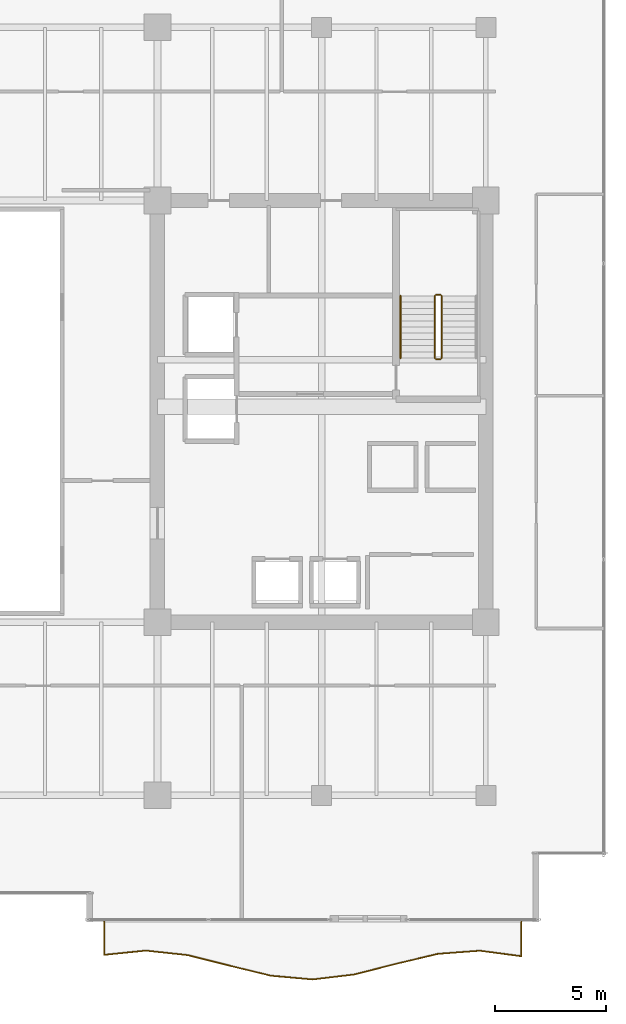
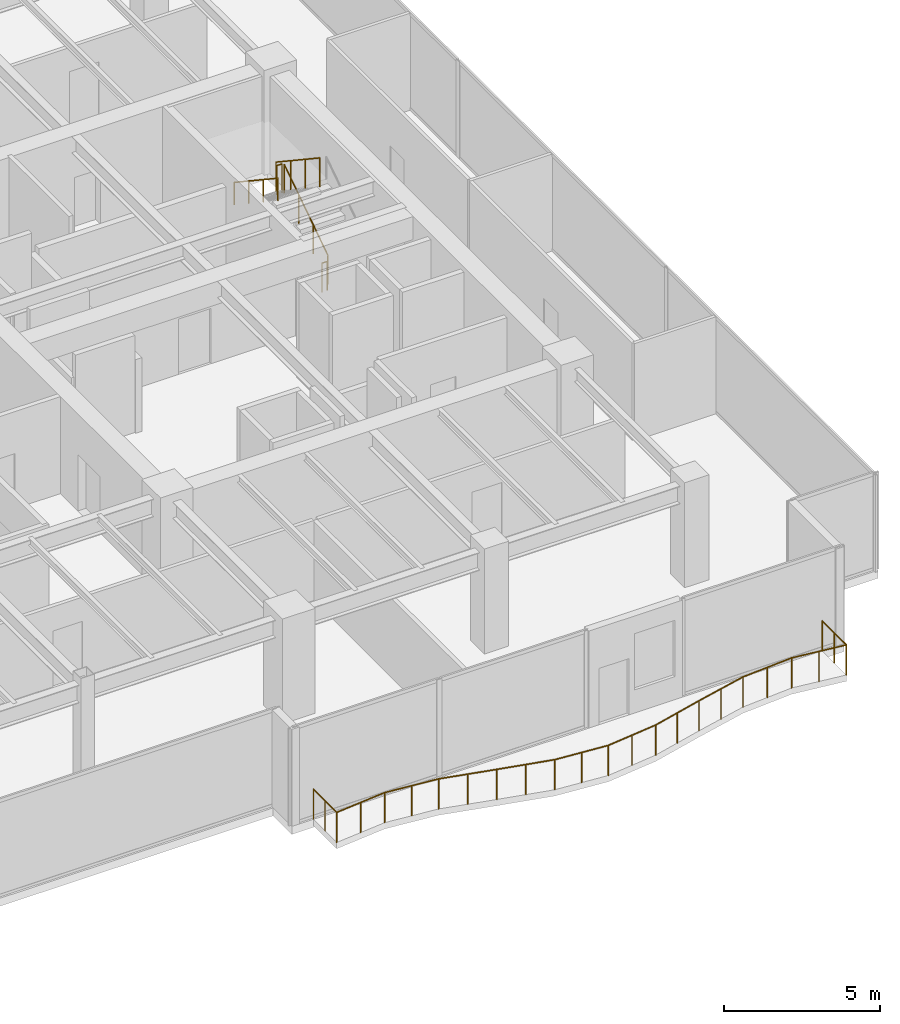
# One storey, part 29 of 30: 6 railings.
"""IFC4 building model written with IfcOpenShell, lengths in metres."""

from ifc_helpers import new_model, si_unit, direction, frame, origin, origin_2d, place, context, subcontext, project, spatial, circle, extrude, source, transform, mapped, material, type_object, type_shapes, element, save


model = new_model("IFC4")

# Units and contexts
model_context = context("Model", 3, precision=1e-05, world=origin(), true_north=direction((0.0, 1.0)))
body_context = subcontext(model_context, "Body", "Model", "MODEL_VIEW")
ifc_project = project(units=[si_unit("LENGTHUNIT", "METRE"), si_unit("AREAUNIT", "SQUARE_METRE"), si_unit("VOLUMEUNIT", "CUBIC_METRE"), si_unit("PLANEANGLEUNIT", "RADIAN"), si_unit("MASSUNIT", "GRAM", prefix="KILO")], contexts=[model_context])

# Site, building, storey
site_placement = place(None, origin())
site = spatial("IfcSite", under=ifc_project, at=site_placement, CompositionType="ELEMENT")
building_placement = place(site_placement, origin())
building = spatial("IfcBuilding", under=site, at=building_placement, Name="Haelvirn Gate Laboratories", CompositionType="ELEMENT")
storey_placement = place(building_placement, frame((0.0, 0.0, 113.300048828125)))
storey = spatial("IfcBuildingStorey", under=building, at=storey_placement, Name="L27", CompositionType="ELEMENT", Elevation=113.300048828125)

# Railings
ifc_material_1 = material(Name="Laminated safety glass & bronze stainless steel 316L", Category="steel")
railing_type_1 = type_object("IfcRailingType", Name="RLG-BAL-1200", PredefinedType="BALUSTRADE", material=ifc_material_1)
shared_shape_1 = source(origin(), body_context, "Body", "SweptSolid", [
    extrude(circle(Radius=0.02392578125, at=origin_2d()), frame((0.0, 0.0, 1.17578125), z_axis=(0.0, -1.0, 0.0), x_axis=(1.0, 0.0, 0.0)), (0.0, 0.0, 1.0), 1.490478515625),
    extrude(circle(Radius=0.02392578125, at=origin_2d()), frame((0.0, -1.490478515625, 1.17578125), z_axis=(0.994909750385, 0.100769978613, 0.0), x_axis=(-0.100769978613, 0.994909750385, 0.0)), (0.0, 0.0, 1.0), 1.8896484375),
    extrude(circle(Radius=0.02392578125, at=origin_2d()), frame((1.880126953125, -1.300048828125, 1.17578125), z_axis=(0.994268046517, -0.106916096431, 0.0), x_axis=(0.106916096431, 0.994268046517, 0.0)), (0.0, 0.0, 1.0), 1.890625),
    extrude(circle(Radius=0.02392578125, at=origin_2d()), frame((3.760009765625, -1.502197265625, 1.17578125), z_axis=(0.969823122706, -0.243809578699, 0.0), x_axis=(0.243809578699, 0.969823122706, 0.0)), (0.0, 0.0, 1.0), 1.938720703125),
    extrude(circle(Radius=0.02392578125, at=origin_2d()), frame((5.64013671875, -1.974853515625, 1.17578125), z_axis=(0.971637832794, -0.23647393489, 0.0), x_axis=(0.23647393489, 0.971637832794, 0.0)), (0.0, 0.0, 1.0), 1.934814453125),
    extrude(circle(Radius=0.02392578125, at=origin_2d()), frame((7.52001953125, -2.432373046875, 1.17578125), z_axis=(0.99611284402, -0.088086332525, 0.0), x_axis=(0.088086332525, 0.99611284402, 0.0)), (0.0, 0.0, 1.0), 1.887451171875),
    extrude(circle(Radius=0.02392578125, at=origin_2d()), frame((9.400146484375, -2.5986328125, 1.17578125), z_axis=(0.992892084335, 0.119018103096, 0.0), x_axis=(-0.119018103096, 0.992892084335, 0.0)), (0.0, 0.0, 1.0), 1.893310546875),
    extrude(circle(Radius=0.02392578125, at=origin_2d()), frame((11.280029296875, -2.373291015625, 1.17578125), z_axis=(0.968773195662, 0.247948574036, 0.0), x_axis=(-0.247948574036, 0.968773195662, 0.0)), (0.0, 0.0, 1.0), 1.940673828125),
    extrude(circle(Radius=0.02392578125, at=origin_2d()), frame((13.16015625, -1.89208984375, 1.17578125), z_axis=(0.972986243114, 0.230863099502, 0.0), x_axis=(-0.230863099502, 0.972986243114, 0.0)), (0.0, 0.0, 1.0), 1.93212890625),
    extrude(circle(Radius=0.02392578125, at=origin_2d()), frame((15.0400390625, -1.446044921875, 1.17578125), z_axis=(0.997175842367, 0.075102193036, 0.0), x_axis=(-0.075102193036, 0.997175842367, 0.0)), (0.0, 0.0, 1.0), 1.885498046875),
    extrude(circle(Radius=0.02392578125, at=origin_2d()), frame((16.920166015625, -1.304443359375, 1.17578125), z_axis=(0.991406900654, -0.130814209229, 0.0), x_axis=(0.130814209229, 0.991406900654, 0.0)), (0.0, 0.0, 1.0), 1.896240234375),
    extrude(circle(Radius=0.02392578125, at=origin_2d()), frame((18.800048828125, -1.552490234375, 1.17578125), z_axis=(0.0, 1.0, 0.0), x_axis=(-1.0, 0.0, 0.0)), (0.0, 0.0, 1.0), 1.552490234375),
    extrude(circle(Radius=0.02099609375, at=origin_2d()), origin(), (0.0, 0.0, 1.0), 1.15185546875),
    extrude(circle(Radius=0.02099609375, at=origin_2d()), frame((0.0, -0.7451171875, 0.0)), (0.0, 0.0, 1.0), 1.15185546875),
    extrude(circle(Radius=0.02099609375, at=origin_2d()), frame((0.0, -1.490478515625, 0.0)), (0.0, 0.0, 1.0), 1.15185546875),
    extrude(circle(Radius=0.02099609375, at=origin_2d()), frame((0.93994140625, -1.395263671875, 0.0)), (0.0, 0.0, 1.0), 1.15185546875),
    extrude(circle(Radius=0.02099609375, at=origin_2d()), frame((1.880126953125, -1.300048828125, 0.0)), (0.0, 0.0, 1.0), 1.15185546875),
    extrude(circle(Radius=0.02099609375, at=origin_2d()), frame((2.820068359375, -1.401123046875, 0.0)), (0.0, 0.0, 1.0), 1.15185546875),
    extrude(circle(Radius=0.02099609375, at=origin_2d()), frame((3.760009765625, -1.502197265625, 0.0)), (0.0, 0.0, 1.0), 1.15185546875),
    extrude(circle(Radius=0.02099609375, at=origin_2d()), frame((4.7001953125, -1.738525390625, 0.0)), (0.0, 0.0, 1.0), 1.15185546875),
    extrude(circle(Radius=0.02099609375, at=origin_2d()), frame((5.64013671875, -1.974853515625, 0.0)), (0.0, 0.0, 1.0), 1.15185546875),
    extrude(circle(Radius=0.02099609375, at=origin_2d()), frame((6.580078125, -2.20361328125, 0.0)), (0.0, 0.0, 1.0), 1.15185546875),
    extrude(circle(Radius=0.02099609375, at=origin_2d()), frame((7.52001953125, -2.432373046875, 0.0)), (0.0, 0.0, 1.0), 1.15185546875),
    extrude(circle(Radius=0.02099609375, at=origin_2d()), frame((8.4599609375, -2.515625, 0.0)), (0.0, 0.0, 1.0), 1.15185546875),
    extrude(circle(Radius=0.02099609375, at=origin_2d()), frame((9.400146484375, -2.5986328125, 0.0)), (0.0, 0.0, 1.0), 1.15185546875),
    extrude(circle(Radius=0.02099609375, at=origin_2d()), frame((10.340087890625, -2.48583984375, 0.0)), (0.0, 0.0, 1.0), 1.15185546875),
    extrude(circle(Radius=0.02099609375, at=origin_2d()), frame((11.280029296875, -2.373291015625, 0.0)), (0.0, 0.0, 1.0), 1.15185546875),
    extrude(circle(Radius=0.02099609375, at=origin_2d()), frame((12.22021484375, -2.1328125, 0.0)), (0.0, 0.0, 1.0), 1.15185546875),
    extrude(circle(Radius=0.02099609375, at=origin_2d()), frame((13.16015625, -1.89208984375, 0.0)), (0.0, 0.0, 1.0), 1.15185546875),
    extrude(circle(Radius=0.02099609375, at=origin_2d()), frame((14.10009765625, -1.6689453125, 0.0)), (0.0, 0.0, 1.0), 1.15185546875),
    extrude(circle(Radius=0.02099609375, at=origin_2d()), frame((15.0400390625, -1.446044921875, 0.0)), (0.0, 0.0, 1.0), 1.15185546875),
    extrude(circle(Radius=0.02099609375, at=origin_2d()), frame((15.97998046875, -1.375244140625, 0.0)), (0.0, 0.0, 1.0), 1.15185546875),
    extrude(circle(Radius=0.02099609375, at=origin_2d()), frame((16.920166015625, -1.304443359375, 0.0)), (0.0, 0.0, 1.0), 1.15185546875),
    extrude(circle(Radius=0.02099609375, at=origin_2d()), frame((17.860107421875, -1.428466796875, 0.0)), (0.0, 0.0, 1.0), 1.15185546875),
    extrude(circle(Radius=0.02099609375, at=origin_2d()), frame((18.800048828125, -1.552490234375, 0.0)), (0.0, 0.0, 1.0), 1.15185546875),
    extrude(circle(Radius=0.02099609375, at=origin_2d()), frame((18.800048828125, -0.7763671875, 0.0)), (0.0, 0.0, 1.0), 1.15185546875),
    extrude(circle(Radius=0.02099609375, at=origin_2d()), frame((18.800048828125, 0.0, 0.0)), (0.0, 0.0, 1.0), 1.15185546875),
])
type_shapes(railing_type_1, [shared_shape_1])
railing_1_placement = place(storey_placement, frame((50.199951171875, 1.300048828125, 0.0)))
element("IfcRailing", 1, at=railing_1_placement, inside=storey, type_object=railing_type_1, Name="L27 Wave Balcony Balustrade EL-S", PredefinedType="BALUSTRADE", context=body_context, shape_type="MappedRepresentation", body=[
    mapped(shared_shape_1, transform((0.0, 0.0, 0.0), scale=1.0)),
])
ifc_material_2 = material(Name="Galvanised steel SM355 & stainless top rail", Category="steel")
railing_type_2 = type_object("IfcRailingType", Name="RL-GUARD-1150", PredefinedType="GUARDRAIL", material=ifc_material_2)
shared_shape_2 = source(origin(), body_context, "Body", "SweptSolid", [
    extrude(circle(Radius=0.02392578125, at=origin_2d()), frame((0.0, 0.0, 1.1259765625), z_axis=(0.0, 0.832452072856, 0.554097055034), x_axis=(-1.0, 0.0, 0.0)), (0.0, 0.0, 1.0), 3.363525390625),
    extrude(circle(Radius=0.02099609375, at=origin_2d()), origin(), (0.0, 0.0, 1.0), 1.101806640625),
    extrude(circle(Radius=0.02099609375, at=origin_2d()), frame((0.0, 0.933349609375, 0.621337890625)), (0.0, 0.0, 1.0), 1.101806640625),
    extrude(circle(Radius=0.02099609375, at=origin_2d()), frame((0.0, 1.86669921875, 1.242431640625)), (0.0, 0.0, 1.0), 1.101806640625),
    extrude(circle(Radius=0.02099609375, at=origin_2d()), frame((0.0, 2.800048828125, 1.86376953125)), (0.0, 0.0, 1.0), 1.101806640625),
])
railing_2_placement = place(storey_placement, frame((65.39990234375, 26.699951171875, 0.186279296875)))
element("IfcRailing", 2, at=railing_2_placement, inside=storey, type_object=railing_type_2, Name="L27 ST2 stair guard 1", PredefinedType="GUARDRAIL", context=body_context, shape_type="MappedRepresentation", body=[
    mapped(shared_shape_2, transform((0.0, 0.0, 0.0), scale=1.0)),
])
shared_shape_3 = source(origin(), body_context, "Body", "SweptSolid", [
    extrude(circle(Radius=0.02392578125, at=origin_2d()), frame((0.0, 0.0, 1.1259765625), z_axis=(0.0, -0.832485552168, 0.554046753832), x_axis=(1.0, 0.0, 0.0)), (0.0, 0.0, 1.0), 3.363525390625),
    extrude(circle(Radius=0.02099609375, at=origin_2d()), origin(), (0.0, 0.0, 1.0), 1.101806640625),
    extrude(circle(Radius=0.02099609375, at=origin_2d()), frame((0.0, -0.933349609375, 0.62109375)), (0.0, 0.0, 1.0), 1.101806640625),
    extrude(circle(Radius=0.02099609375, at=origin_2d()), frame((0.0, -1.86669921875, 1.242431640625)), (0.0, 0.0, 1.0), 1.101806640625),
    extrude(circle(Radius=0.02099609375, at=origin_2d()), frame((0.0, -2.800048828125, 1.863525390625)), (0.0, 0.0, 1.0), 1.101806640625),
])
railing_3_placement = place(storey_placement, frame((65.10009765625, 29.5, 2.236328125)))
element("IfcRailing", 3, at=railing_3_placement, inside=storey, type_object=railing_type_2, Name="L27 ST2 stair guard 3", PredefinedType="GUARDRAIL", context=body_context, shape_type="MappedRepresentation", body=[
    mapped(shared_shape_3, transform((0.0, 0.0, 0.0), scale=1.0)),
])
ifc_material_3 = material(Name="Brushed stainless steel 316L", Category="steel")
railing_type_3 = type_object("IfcRailingType", Name="RL-HAND-920", PredefinedType="HANDRAIL", material=ifc_material_3)
shared_shape_4 = source(origin(), body_context, "Body", "SweptSolid", [
    extrude(circle(Radius=0.02392578125, at=origin_2d()), frame((0.0, 0.0, 0.8759765625), z_axis=(0.0, -0.832485552168, 0.554046753832), x_axis=(1.0, 0.0, 0.0)), (0.0, 0.0, 1.0), 3.363525390625),
    extrude(circle(Radius=0.02099609375, at=origin_2d()), origin(), (0.0, 0.0, 1.0), 0.851806640625),
    extrude(circle(Radius=0.02099609375, at=origin_2d()), frame((0.0, -0.933349609375, 0.62109375)), (0.0, 0.0, 1.0), 0.851806640625),
    extrude(circle(Radius=0.02099609375, at=origin_2d()), frame((0.0, -1.86669921875, 1.242431640625)), (0.0, 0.0, 1.0), 0.851806640625),
    extrude(circle(Radius=0.02099609375, at=origin_2d()), frame((0.0, -2.800048828125, 1.863525390625)), (0.0, 0.0, 1.0), 0.851806640625),
])
type_shapes(railing_type_3, [shared_shape_4])
railing_4_placement = place(storey_placement, frame((63.550048828125, 29.5, 2.236328125)))
element("IfcRailing", 4, at=railing_4_placement, inside=storey, type_object=railing_type_3, Name="L27 ST2 stair handrail 2", PredefinedType="HANDRAIL", context=body_context, shape_type="MappedRepresentation", body=[
    mapped(shared_shape_4, transform((0.0, 0.0, 0.0), scale=1.0)),
])
shared_shape_5 = source(origin(), body_context, "Body", "SweptSolid", [
    extrude(circle(Radius=0.02392578125, at=origin_2d()), frame((0.0, 0.0, 1.1259765625), z_axis=(-1.0, 0.0, 0.0), x_axis=(0.0, -1.0, 0.0)), (0.0, 0.0, 1.0), 0.2001953125),
    extrude(circle(Radius=0.02099609375, at=origin_2d()), origin(), (0.0, 0.0, 1.0), 1.101806640625),
    extrude(circle(Radius=0.02099609375, at=origin_2d()), frame((-0.2001953125, 0.0, 0.0)), (0.0, 0.0, 1.0), 1.101806640625),
])
type_shapes(railing_type_2, [shared_shape_2, shared_shape_3, shared_shape_5])
for number, where, name in (
    (5, (65.35009765625, 29.550048828125, 2.050048828125), "L27 ST2 stair guard 2"),
    (6, (65.35009765625, 26.64990234375, 0.0), "L27 ST2 stair guard 4"),
):
    element("IfcRailing", number, at=place(storey_placement, frame(where)), inside=storey, type_object=railing_type_2, Name=name, PredefinedType="GUARDRAIL", context=body_context, shape_type="MappedRepresentation", body=[
        mapped(shared_shape_5, transform((0.0, 0.0, 0.0), scale=1.0)),
    ])

save(model, "model.ifc")
